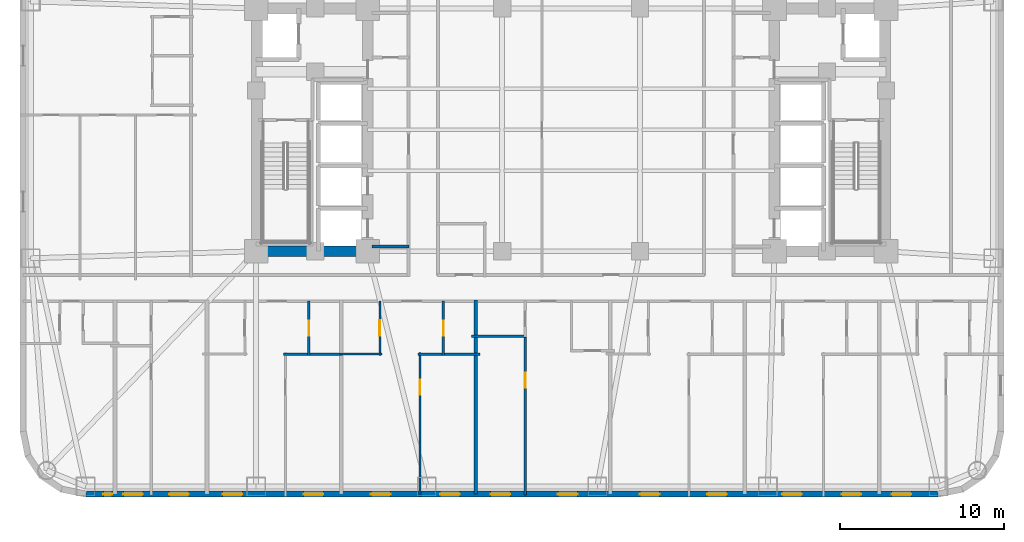
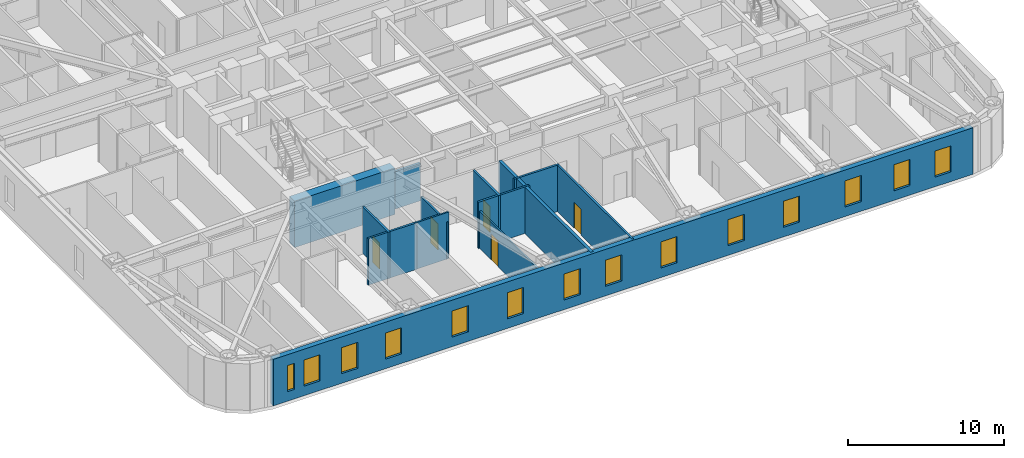
# One storey, part 3 of 12: 14 windows, 13 walls, 5 doors, 19 openings.
"""IFC4 building model written with IfcOpenShell, lengths in metres."""

from ifc_helpers import new_model, si_unit, direction, frame, frame_2d, origin, place, context, subcontext, project, spatial, rectangle, extrude, material, layer, layer_set, type_object, element, fill, save


model = new_model("IFC4")

# Units and contexts
model_context = context("Model", 3, precision=1e-05, world=origin(), true_north=direction((0.0, 1.0)))
body_context = subcontext(model_context, "Body", "Model", "MODEL_VIEW")
ifc_project = project(units=[si_unit("LENGTHUNIT", "METRE"), si_unit("AREAUNIT", "SQUARE_METRE"), si_unit("VOLUMEUNIT", "CUBIC_METRE"), si_unit("PLANEANGLEUNIT", "RADIAN"), si_unit("MASSUNIT", "GRAM", prefix="KILO")], contexts=[model_context])

# Site, building, storey
site_placement = place(None, origin())
site = spatial("IfcSite", under=ifc_project, at=site_placement, CompositionType="ELEMENT")
building_placement = place(site_placement, origin())
building = spatial("IfcBuilding", under=site, at=building_placement, Name="Voryun Gate Residences", CompositionType="ELEMENT")
storey_placement = place(building_placement, frame((0.0, 0.0, 72.800048828125)))
storey = spatial("IfcBuildingStorey", under=building, at=storey_placement, Name="L17", CompositionType="ELEMENT", Elevation=72.800048828125)

# Walls
ifc_material_1 = material(Name="Concrete C60/75", Category="concrete")
ifc_layer_1 = layer(ifc_material_1, 0.64990234375, Name="CW_CORE_650")
ifc_layer_set_1 = layer_set([ifc_layer_1], Name="Concrete C60/75")
wall_type_1 = type_object("IfcWallType", Name="CW_CORE_650", PredefinedType="SHEAR", material=ifc_layer_set_1)
wall_1_placement = place(storey_placement, frame((-19.52490234375, -7.39990234375, 0.0), z_axis=(0.0, 0.0, 1.0), x_axis=(1.0, 0.0, 0.0)))
element("IfcWall", 1, at=wall_1_placement, inside=storey, type_object=wall_type_1, Name="L17 Core shear wall CW-L17-WS", PredefinedType="SHEAR", context=body_context, shape_type="SweptSolid", body=[
    extrude(rectangle(XDim=7.449951171875, YDim=0.64990234375, at=frame_2d((3.72509765625, 0.0))), origin(), (0.0, 0.0, 1.0), 3.64990234375),
])
ifc_material_2 = material(Name="Gypsum acoustic fireboard")
ifc_layer_2 = layer(ifc_material_2, 0.179931640625, Name="W_CORR_RATED_180")
ifc_layer_set_2 = layer_set([ifc_layer_2], Name="Gypsum acoustic fireboard")
wall_type_2 = type_object("IfcWallType", Name="W_CORR_RATED_180", PredefinedType="PARTITIONING", material=ifc_layer_set_2)
wall_2_placement = place(storey_placement, frame((-12.14990234375, -7.1201171875, 0.0), z_axis=(0.0, 0.0, 1.0), x_axis=(1.0, 0.0, 0.0)))
element("IfcWall", 2, at=wall_2_placement, inside=storey, type_object=wall_type_2, Name="Partition wall WP-L17-PLBS-W", PredefinedType="PARTITIONING", context=body_context, shape_type="SweptSolid", body=[
    extrude(rectangle(XDim=2.27001953125, YDim=0.179931640625, at=frame_2d((1.135009765625, 0.0))), origin(), (0.0, 0.0, 1.0), 2.93994140625),
])

# Wall, openings, windows
ifc_material_3 = material(Name="Granite masonry", Category="masonry")
ifc_layer_3 = layer(ifc_material_3, 0.3798828125, Name="W_EXT_GRANITE_380")
ifc_layer_set_3 = layer_set([ifc_layer_3], Name="Granite masonry")
wall_type_3 = type_object("IfcWallType", Name="W_EXT_GRANITE_380", PredefinedType="ELEMENTEDWALL", material=ifc_layer_set_3)
wall_3_placement = place(storey_placement, frame((22.38134765625, -22.2099609375, 0.0), z_axis=(0.0, 0.0, 1.0), x_axis=(-1.0, 0.0, 0.0)))
wall_3 = element("IfcWall", 3, at=wall_3_placement, inside=storey, type_object=wall_type_3, Name="Exterior wall WEXT-L17-01", PredefinedType="ELEMENTEDWALL", context=body_context, shape_type="SweptSolid", body=[
    extrude(rectangle(XDim=51.962646484375, YDim=0.3798828125, at=frame_2d((25.9814453125, 0.0))), origin(), (0.0, 0.0, 1.0), 3.64990234375),
])
opening_1_placement = place(wall_3_placement, frame((50.37158203125, 0.0, 0.75)))
opening_1 = element("IfcOpeningElement", 4, at=opening_1_placement, cuts=wall_3, Name="Opening WN10", PredefinedType="OPENING", context=body_context, shape_type="SweptSolid", body=[
    extrude(rectangle(XDim=0.52001953125, YDim=2.050048828125, at=frame_2d((0.260009765625, 1.02490234375))), frame((0.0, 0.199951171875, 0.0), z_axis=(0.0, -1.0, 0.0), x_axis=(1.0, 0.0, 0.0)), (0.0, 0.0, 1.0), 0.39990234375),
])
opening_2_placement = place(wall_3_placement, frame((45.680908203125, 0.0, 0.75)))
opening_2 = element("IfcOpeningElement", 5, at=opening_2_placement, cuts=wall_3, Name="Opening WN6", PredefinedType="OPENING", context=body_context, shape_type="SweptSolid", body=[
    extrude(rectangle(XDim=1.199951171875, YDim=2.050048828125, at=frame_2d((0.60009765625, 1.02490234375))), frame((0.0, 0.199951171875, 0.0), z_axis=(0.0, -1.0, 0.0), x_axis=(1.0, 0.0, 0.0)), (0.0, 0.0, 1.0), 0.39990234375),
])
opening_3_placement = place(wall_3_placement, frame((48.4853515625, 0.0, 0.75)))
opening_3 = element("IfcOpeningElement", 6, at=opening_3_placement, cuts=wall_3, Name="Opening WN6", PredefinedType="OPENING", context=body_context, shape_type="SweptSolid", body=[
    extrude(rectangle(XDim=1.199951171875, YDim=2.050048828125, at=frame_2d((0.60009765625, 1.02490234375))), frame((0.0, 0.199951171875, 0.0), z_axis=(0.0, -1.0, 0.0), x_axis=(1.0, 0.0, 0.0)), (0.0, 0.0, 1.0), 0.39990234375),
])
opening_4_placement = place(wall_3_placement, frame((42.42626953125, 0.0, 0.75)))
opening_4 = element("IfcOpeningElement", 7, at=opening_4_placement, cuts=wall_3, Name="Opening WN6", PredefinedType="OPENING", context=body_context, shape_type="SweptSolid", body=[
    extrude(rectangle(XDim=1.199951171875, YDim=2.050048828125, at=frame_2d((0.60009765625, 1.02490234375))), frame((0.0, 0.199951171875, 0.0), z_axis=(0.0, -1.0, 0.0), x_axis=(1.0, 0.0, 0.0)), (0.0, 0.0, 1.0), 0.39990234375),
])
opening_5_placement = place(wall_3_placement, frame((37.486328125, 0.0, 0.75)))
opening_5 = element("IfcOpeningElement", 8, at=opening_5_placement, cuts=wall_3, Name="Opening WN6", PredefinedType="OPENING", context=body_context, shape_type="SweptSolid", body=[
    extrude(rectangle(XDim=1.199951171875, YDim=2.050048828125, at=frame_2d((0.60009765625, 1.02490234375))), frame((0.0, 0.199951171875, 0.0), z_axis=(0.0, -1.0, 0.0), x_axis=(1.0, 0.0, 0.0)), (0.0, 0.0, 1.0), 0.39990234375),
])
opening_6_placement = place(wall_3_placement, frame((33.38623046875, 0.0, 0.75)))
opening_6 = element("IfcOpeningElement", 9, at=opening_6_placement, cuts=wall_3, Name="Opening WN6", PredefinedType="OPENING", context=body_context, shape_type="SweptSolid", body=[
    extrude(rectangle(XDim=1.199951171875, YDim=2.050048828125, at=frame_2d((0.60009765625, 1.02490234375))), frame((0.0, 0.199951171875, 0.0), z_axis=(0.0, -1.0, 0.0), x_axis=(1.0, 0.0, 0.0)), (0.0, 0.0, 1.0), 0.39990234375),
])
opening_7_placement = place(wall_3_placement, frame((29.166259765625, 0.0, 0.75)))
opening_7 = element("IfcOpeningElement", 10, at=opening_7_placement, cuts=wall_3, Name="Opening WN6", PredefinedType="OPENING", context=body_context, shape_type="SweptSolid", body=[
    extrude(rectangle(XDim=1.199951171875, YDim=2.050048828125, at=frame_2d((0.60009765625, 1.02490234375))), frame((0.0, 0.199951171875, 0.0), z_axis=(0.0, -1.0, 0.0), x_axis=(1.0, 0.0, 0.0)), (0.0, 0.0, 1.0), 0.39990234375),
])
opening_8_placement = place(wall_3_placement, frame((26.080810546875, 0.0, 0.75)))
opening_8 = element("IfcOpeningElement", 11, at=opening_8_placement, cuts=wall_3, Name="Opening WN6", PredefinedType="OPENING", context=body_context, shape_type="SweptSolid", body=[
    extrude(rectangle(XDim=1.199951171875, YDim=2.050048828125, at=frame_2d((0.60009765625, 1.02490234375))), frame((0.0, 0.199951171875, 0.0), z_axis=(0.0, -1.0, 0.0), x_axis=(1.0, 0.0, 0.0)), (0.0, 0.0, 1.0), 0.39990234375),
])
opening_9_placement = place(wall_3_placement, frame((21.980712890625, 0.0, 0.75)))
opening_9 = element("IfcOpeningElement", 12, at=opening_9_placement, cuts=wall_3, Name="Opening WN6", PredefinedType="OPENING", context=body_context, shape_type="SweptSolid", body=[
    extrude(rectangle(XDim=1.199951171875, YDim=2.050048828125, at=frame_2d((0.60009765625, 1.02490234375))), frame((0.0, 0.199951171875, 0.0), z_axis=(0.0, -1.0, 0.0), x_axis=(1.0, 0.0, 0.0)), (0.0, 0.0, 1.0), 0.39990234375),
])
opening_10_placement = place(wall_3_placement, frame((16.986328125, 0.0, 0.75)))
opening_10 = element("IfcOpeningElement", 13, at=opening_10_placement, cuts=wall_3, Name="Opening WN6", PredefinedType="OPENING", context=body_context, shape_type="SweptSolid", body=[
    extrude(rectangle(XDim=1.199951171875, YDim=2.050048828125, at=frame_2d((0.60009765625, 1.02490234375))), frame((0.0, 0.199951171875, 0.0), z_axis=(0.0, -1.0, 0.0), x_axis=(1.0, 0.0, 0.0)), (0.0, 0.0, 1.0), 0.39990234375),
])
opening_11_placement = place(wall_3_placement, frame((12.88623046875, 0.0, 0.75)))
opening_11 = element("IfcOpeningElement", 14, at=opening_11_placement, cuts=wall_3, Name="Opening WN6", PredefinedType="OPENING", context=body_context, shape_type="SweptSolid", body=[
    extrude(rectangle(XDim=1.199951171875, YDim=2.050048828125, at=frame_2d((0.60009765625, 1.02490234375))), frame((0.0, 0.199951171875, 0.0), z_axis=(0.0, -1.0, 0.0), x_axis=(1.0, 0.0, 0.0)), (0.0, 0.0, 1.0), 0.39990234375),
])
opening_12_placement = place(wall_3_placement, frame((8.306396484375, 0.0, 0.75)))
opening_12 = element("IfcOpeningElement", 15, at=opening_12_placement, cuts=wall_3, Name="Opening WN6", PredefinedType="OPENING", context=body_context, shape_type="SweptSolid", body=[
    extrude(rectangle(XDim=1.199951171875, YDim=2.050048828125, at=frame_2d((0.60009765625, 1.02490234375))), frame((0.0, 0.199951171875, 0.0), z_axis=(0.0, -1.0, 0.0), x_axis=(1.0, 0.0, 0.0)), (0.0, 0.0, 1.0), 0.39990234375),
])
opening_13_placement = place(wall_3_placement, frame((4.686279296875, 0.0, 0.75)))
opening_13 = element("IfcOpeningElement", 16, at=opening_13_placement, cuts=wall_3, Name="Opening WN6", PredefinedType="OPENING", context=body_context, shape_type="SweptSolid", body=[
    extrude(rectangle(XDim=1.199951171875, YDim=2.050048828125, at=frame_2d((0.60009765625, 1.02490234375))), frame((0.0, 0.199951171875, 0.0), z_axis=(0.0, -1.0, 0.0), x_axis=(1.0, 0.0, 0.0)), (0.0, 0.0, 1.0), 0.39990234375),
])
opening_14_placement = place(wall_3_placement, frame((1.635498046875, 0.0, 0.75)))
opening_14 = element("IfcOpeningElement", 17, at=opening_14_placement, cuts=wall_3, Name="Opening WN6", PredefinedType="OPENING", context=body_context, shape_type="SweptSolid", body=[
    extrude(rectangle(XDim=1.199951171875, YDim=2.050048828125, at=frame_2d((0.60009765625, 1.02490234375))), frame((0.0, 0.199951171875, 0.0), z_axis=(0.0, -1.0, 0.0), x_axis=(1.0, 0.0, 0.0)), (0.0, 0.0, 1.0), 0.39990234375),
])
ifc_material_4 = material(Name="Laminated low-E glass", Category="glass")
window_type_1 = type_object("IfcWindowType", Name="WN_PAGODA_LANCET_520", PartitioningType="SINGLE_PANEL", PredefinedType="WINDOW", material=ifc_material_4)
window_1_placement = place(opening_1_placement, origin())
window_1 = element("IfcWindow", 18, at=window_1_placement, inside=storey, type_object=window_type_1, Name="Window WN-L17-DWFIX-15", OverallHeight=2.050048828125, OverallWidth=0.52001953125, PartitioningType="SINGLE_PANEL", PredefinedType="WINDOW", context=body_context, shape_type="SweptSolid", body=[
    extrude(rectangle(XDim=0.52001953125, YDim=2.050048828125, at=frame_2d((0.260009765625, 1.02490234375))), frame((0.0, 0.030029296875, 0.0), z_axis=(0.0, -1.0, 0.0), x_axis=(1.0, 0.0, 0.0)), (0.0, 0.0, 1.0), 0.06005859375),
])
fill(opening_1, window_1)
ifc_material_5 = material(Name="Laminated low-E glass", Category="glass")
window_type_2 = type_object("IfcWindowType", Name="WN_POD_SLOT_1200", PartitioningType="SINGLE_PANEL", PredefinedType="WINDOW", material=ifc_material_5)
window_2_placement = place(opening_2_placement, origin())
window_2 = element("IfcWindow", 19, at=window_2_placement, inside=storey, type_object=window_type_2, Name="Window WN-L17-DWFIX-16", OverallHeight=2.050048828125, OverallWidth=1.199951171875, PartitioningType="SINGLE_PANEL", PredefinedType="WINDOW", context=body_context, shape_type="SweptSolid", body=[
    extrude(rectangle(XDim=1.199951171875, YDim=2.050048828125, at=frame_2d((0.60009765625, 1.02490234375))), frame((0.0, 0.030029296875, 0.0), z_axis=(0.0, -1.0, 0.0), x_axis=(1.0, 0.0, 0.0)), (0.0, 0.0, 1.0), 0.06005859375),
])
fill(opening_2, window_2)
window_3_placement = place(opening_3_placement, origin())
window_3 = element("IfcWindow", 20, at=window_3_placement, inside=storey, type_object=window_type_2, Name="Window WN-L17-DWFIX-17", OverallHeight=2.050048828125, OverallWidth=1.199951171875, PartitioningType="SINGLE_PANEL", PredefinedType="WINDOW", context=body_context, shape_type="SweptSolid", body=[
    extrude(rectangle(XDim=1.199951171875, YDim=2.050048828125, at=frame_2d((0.60009765625, 1.02490234375))), frame((0.0, 0.030029296875, 0.0), z_axis=(0.0, -1.0, 0.0), x_axis=(1.0, 0.0, 0.0)), (0.0, 0.0, 1.0), 0.06005859375),
])
fill(opening_3, window_3)
window_4_placement = place(opening_4_placement, origin())
window_4 = element("IfcWindow", 21, at=window_4_placement, inside=storey, type_object=window_type_2, Name="Window WN-L17-DWFIX-18", OverallHeight=2.050048828125, OverallWidth=1.199951171875, PartitioningType="SINGLE_PANEL", PredefinedType="WINDOW", context=body_context, shape_type="SweptSolid", body=[
    extrude(rectangle(XDim=1.199951171875, YDim=2.050048828125, at=frame_2d((0.60009765625, 1.02490234375))), frame((0.0, 0.030029296875, 0.0), z_axis=(0.0, -1.0, 0.0), x_axis=(1.0, 0.0, 0.0)), (0.0, 0.0, 1.0), 0.06005859375),
])
fill(opening_4, window_4)
window_5_placement = place(opening_5_placement, origin())
window_5 = element("IfcWindow", 22, at=window_5_placement, inside=storey, type_object=window_type_2, Name="Window WN-L17-DWFIX-19", OverallHeight=2.050048828125, OverallWidth=1.199951171875, PartitioningType="SINGLE_PANEL", PredefinedType="WINDOW", context=body_context, shape_type="SweptSolid", body=[
    extrude(rectangle(XDim=1.199951171875, YDim=2.050048828125, at=frame_2d((0.60009765625, 1.02490234375))), frame((0.0, 0.030029296875, 0.0), z_axis=(0.0, -1.0, 0.0), x_axis=(1.0, 0.0, 0.0)), (0.0, 0.0, 1.0), 0.06005859375),
])
fill(opening_5, window_5)
window_6_placement = place(opening_6_placement, origin())
window_6 = element("IfcWindow", 23, at=window_6_placement, inside=storey, type_object=window_type_2, Name="Window WN-L17-DWFIX-20", OverallHeight=2.050048828125, OverallWidth=1.199951171875, PartitioningType="SINGLE_PANEL", PredefinedType="WINDOW", context=body_context, shape_type="SweptSolid", body=[
    extrude(rectangle(XDim=1.199951171875, YDim=2.050048828125, at=frame_2d((0.60009765625, 1.02490234375))), frame((0.0, 0.030029296875, 0.0), z_axis=(0.0, -1.0, 0.0), x_axis=(1.0, 0.0, 0.0)), (0.0, 0.0, 1.0), 0.06005859375),
])
fill(opening_6, window_6)
window_7_placement = place(opening_7_placement, origin())
window_7 = element("IfcWindow", 24, at=window_7_placement, inside=storey, type_object=window_type_2, Name="Window WN-L17-DWFIX-21", OverallHeight=2.050048828125, OverallWidth=1.199951171875, PartitioningType="SINGLE_PANEL", PredefinedType="WINDOW", context=body_context, shape_type="SweptSolid", body=[
    extrude(rectangle(XDim=1.199951171875, YDim=2.050048828125, at=frame_2d((0.60009765625, 1.02490234375))), frame((0.0, 0.030029296875, 0.0), z_axis=(0.0, -1.0, 0.0), x_axis=(1.0, 0.0, 0.0)), (0.0, 0.0, 1.0), 0.06005859375),
])
fill(opening_7, window_7)
window_8_placement = place(opening_8_placement, origin())
window_8 = element("IfcWindow", 25, at=window_8_placement, inside=storey, type_object=window_type_2, Name="Window WN-L17-DWFIX-22", OverallHeight=2.050048828125, OverallWidth=1.199951171875, PartitioningType="SINGLE_PANEL", PredefinedType="WINDOW", context=body_context, shape_type="SweptSolid", body=[
    extrude(rectangle(XDim=1.199951171875, YDim=2.050048828125, at=frame_2d((0.60009765625, 1.02490234375))), frame((0.0, 0.030029296875, 0.0), z_axis=(0.0, -1.0, 0.0), x_axis=(1.0, 0.0, 0.0)), (0.0, 0.0, 1.0), 0.06005859375),
])
fill(opening_8, window_8)
window_9_placement = place(opening_9_placement, origin())
window_9 = element("IfcWindow", 26, at=window_9_placement, inside=storey, type_object=window_type_2, Name="Window WN-L17-DWFIX-23", OverallHeight=2.050048828125, OverallWidth=1.199951171875, PartitioningType="SINGLE_PANEL", PredefinedType="WINDOW", context=body_context, shape_type="SweptSolid", body=[
    extrude(rectangle(XDim=1.199951171875, YDim=2.050048828125, at=frame_2d((0.60009765625, 1.02490234375))), frame((0.0, 0.030029296875, 0.0), z_axis=(0.0, -1.0, 0.0), x_axis=(1.0, 0.0, 0.0)), (0.0, 0.0, 1.0), 0.06005859375),
])
fill(opening_9, window_9)
window_10_placement = place(opening_10_placement, origin())
window_10 = element("IfcWindow", 27, at=window_10_placement, inside=storey, type_object=window_type_2, Name="Window WN-L17-DWFIX-24", OverallHeight=2.050048828125, OverallWidth=1.199951171875, PartitioningType="SINGLE_PANEL", PredefinedType="WINDOW", context=body_context, shape_type="SweptSolid", body=[
    extrude(rectangle(XDim=1.199951171875, YDim=2.050048828125, at=frame_2d((0.60009765625, 1.02490234375))), frame((0.0, 0.030029296875, 0.0), z_axis=(0.0, -1.0, 0.0), x_axis=(1.0, 0.0, 0.0)), (0.0, 0.0, 1.0), 0.06005859375),
])
fill(opening_10, window_10)
window_11_placement = place(opening_11_placement, origin())
window_11 = element("IfcWindow", 28, at=window_11_placement, inside=storey, type_object=window_type_2, Name="Window WN-L17-DWFIX-25", OverallHeight=2.050048828125, OverallWidth=1.199951171875, PartitioningType="SINGLE_PANEL", PredefinedType="WINDOW", context=body_context, shape_type="SweptSolid", body=[
    extrude(rectangle(XDim=1.199951171875, YDim=2.050048828125, at=frame_2d((0.60009765625, 1.02490234375))), frame((0.0, 0.030029296875, 0.0), z_axis=(0.0, -1.0, 0.0), x_axis=(1.0, 0.0, 0.0)), (0.0, 0.0, 1.0), 0.06005859375),
])
fill(opening_11, window_11)
window_12_placement = place(opening_12_placement, origin())
window_12 = element("IfcWindow", 29, at=window_12_placement, inside=storey, type_object=window_type_2, Name="Window WN-L17-DWFIX-26", OverallHeight=2.050048828125, OverallWidth=1.199951171875, PartitioningType="SINGLE_PANEL", PredefinedType="WINDOW", context=body_context, shape_type="SweptSolid", body=[
    extrude(rectangle(XDim=1.199951171875, YDim=2.050048828125, at=frame_2d((0.60009765625, 1.02490234375))), frame((0.0, 0.030029296875, 0.0), z_axis=(0.0, -1.0, 0.0), x_axis=(1.0, 0.0, 0.0)), (0.0, 0.0, 1.0), 0.06005859375),
])
fill(opening_12, window_12)
window_13_placement = place(opening_13_placement, origin())
window_13 = element("IfcWindow", 30, at=window_13_placement, inside=storey, type_object=window_type_2, Name="Window WN-L17-DWFIX-27", OverallHeight=2.050048828125, OverallWidth=1.199951171875, PartitioningType="SINGLE_PANEL", PredefinedType="WINDOW", context=body_context, shape_type="SweptSolid", body=[
    extrude(rectangle(XDim=1.199951171875, YDim=2.050048828125, at=frame_2d((0.60009765625, 1.02490234375))), frame((0.0, 0.030029296875, 0.0), z_axis=(0.0, -1.0, 0.0), x_axis=(1.0, 0.0, 0.0)), (0.0, 0.0, 1.0), 0.06005859375),
])
fill(opening_13, window_13)
window_14_placement = place(opening_14_placement, origin())
window_14 = element("IfcWindow", 31, at=window_14_placement, inside=storey, type_object=window_type_2, Name="Window WN-L17-DWFIX-28", OverallHeight=2.050048828125, OverallWidth=1.199951171875, PartitioningType="SINGLE_PANEL", PredefinedType="WINDOW", context=body_context, shape_type="SweptSolid", body=[
    extrude(rectangle(XDim=1.199951171875, YDim=2.050048828125, at=frame_2d((0.60009765625, 1.02490234375))), frame((0.0, 0.030029296875, 0.0), z_axis=(0.0, -1.0, 0.0), x_axis=(1.0, 0.0, 0.0)), (0.0, 0.0, 1.0), 0.06005859375),
])
fill(opening_14, window_14)

# Wall
ifc_material_6 = material(Name="Concrete C40/50", Category="concrete")
ifc_layer_4 = layer(ifc_material_6, 0.219970703125, Name="W_PARTY_ACOUSTIC_220")
ifc_layer_set_4 = layer_set([ifc_layer_4], Name="Concrete C40/50")
wall_type_4 = type_object("IfcWallType", Name="W_PARTY_ACOUSTIC_220", PredefinedType="PARTITIONING", material=ifc_layer_set_4)
wall_4_placement = place(storey_placement, frame((-5.800048828125, -22.2099609375, 0.0), z_axis=(0.0, 0.0, 1.0), x_axis=(0.0, 1.0, 0.0)))
element("IfcWall", 32, at=wall_4_placement, inside=storey, type_object=wall_type_4, Name="Partition wall WP-L17-SPTY-4", PredefinedType="PARTITIONING", context=body_context, shape_type="SweptSolid", body=[
    extrude(rectangle(XDim=11.83984375, YDim=0.219970703125, at=frame_2d((5.919921875, 0.0))), origin(), (0.0, 0.0, 1.0), 3.64990234375),
])

# Wall, opening, door
ifc_material_7 = material(Name="Gypsum acoustic partition")
ifc_layer_5 = layer(ifc_material_7, 0.125, Name="W_UNIT_PART_125")
ifc_layer_set_5 = layer_set([ifc_layer_5], Name="Gypsum acoustic partition")
wall_type_5 = type_object("IfcWallType", Name="W_UNIT_PART_125", PredefinedType="PARTITIONING", material=ifc_layer_set_5)
wall_5_placement = place(storey_placement, frame((-9.2099609375, -22.360107421875, 0.0), z_axis=(0.0, 0.0, 1.0), x_axis=(0.0, 1.0, 0.0)))
wall_5 = element("IfcWall", 33, at=wall_5_placement, inside=storey, type_object=wall_type_5, Name="Partition wall WP-L17-S4-OVR", PredefinedType="PARTITIONING", context=body_context, shape_type="SweptSolid", body=[
    extrude(rectangle(XDim=8.77001953125, YDim=0.125, at=frame_2d((4.385009765625, 0.0))), origin(), (0.0, 0.0, 1.0), 2.93994140625),
])
opening_15_placement = place(wall_5_placement, frame((6.215087890625, 0.0, 0.0)))
opening_15 = element("IfcOpeningElement", 34, at=opening_15_placement, cuts=wall_5, Name="Opening D-INT-2", PredefinedType="OPENING", context=body_context, shape_type="SweptSolid", body=[
    extrude(rectangle(XDim=0.89990234375, YDim=2.050048828125, at=frame_2d((0.449951171875, 1.02490234375))), frame((0.0, 0.072509765625, 0.0), z_axis=(0.0, -1.0, 0.0), x_axis=(1.0, 0.0, 0.0)), (0.0, 0.0, 1.0), 0.14501953125),
])
ifc_material_8 = material(Name="Architectural oak veneer")
door_type_1 = type_object("IfcDoorType", Name="DR_INT_BATH_900", OperationType="NOTDEFINED", PredefinedType="DOOR", material=ifc_material_8)
door_1_placement = place(opening_15_placement, origin())
door_1 = element("IfcDoor", 35, at=door_1_placement, inside=storey, type_object=door_type_1, Name="Door DR-L17-S4-DMB", OperationType="SINGLE_SWING_RIGHT", OverallHeight=2.050048828125, OverallWidth=0.89990234375, PredefinedType="DOOR", context=body_context, shape_type="SweptSolid", body=[
    extrude(rectangle(XDim=0.89990234375, YDim=2.050048828125, at=frame_2d((0.449951171875, 1.02490234375))), frame((0.0, 0.02490234375, 0.0), z_axis=(0.0, -1.0, 0.0), x_axis=(1.0, 0.0, 0.0)), (0.0, 0.0, 1.0), 0.050048828125),
])
fill(opening_15, door_1)

wall_6_placement = place(storey_placement, frame((-11.660888671875, -13.75, 0.0), z_axis=(0.0, 0.0, 1.0), x_axis=(0.0, 1.0, 0.0)))
wall_6 = element("IfcWall", 36, at=wall_6_placement, inside=storey, type_object=wall_type_5, Name="Partition wall WP-L17-S4-IVK", PredefinedType="PARTITIONING", context=body_context, shape_type="SweptSolid", body=[
    extrude(rectangle(XDim=3.320068359375, YDim=0.125, at=frame_2d((1.66015625, 0.0))), origin(), (0.0, 0.0, 1.0), 2.93994140625),
])
opening_16_placement = place(wall_6_placement, frame((1.18505859375, 0.0, 0.0)))
opening_16 = element("IfcOpeningElement", 37, at=opening_16_placement, cuts=wall_6, Name="Opening D-INT-1", PredefinedType="OPENING", context=body_context, shape_type="SweptSolid", body=[
    extrude(rectangle(XDim=0.949951171875, YDim=2.050048828125, at=frame_2d((0.47509765625, 1.02490234375))), frame((0.0, 0.072509765625, 0.0), z_axis=(0.0, -1.0, 0.0), x_axis=(1.0, 0.0, 0.0)), (0.0, 0.0, 1.0), 0.14501953125),
])
ifc_material_9 = material(Name="Architectural oak veneer")
door_type_2 = type_object("IfcDoorType", Name="DR_INT_ROOM_950", OperationType="NOTDEFINED", PredefinedType="DOOR", material=ifc_material_9)
door_2_placement = place(opening_16_placement, origin())
door_2 = element("IfcDoor", 38, at=door_2_placement, inside=storey, type_object=door_type_2, Name="Door DR-L17-S4-DK", OperationType="SINGLE_SWING_LEFT", OverallHeight=2.050048828125, OverallWidth=0.949951171875, PredefinedType="DOOR", context=body_context, shape_type="SweptSolid", body=[
    extrude(rectangle(XDim=0.949951171875, YDim=2.050048828125, at=frame_2d((0.47509765625, 1.02490234375))), frame((0.0, 0.02490234375, 0.0), z_axis=(0.0, -1.0, 0.0), x_axis=(1.0, 0.0, 0.0)), (0.0, 0.0, 1.0), 0.050048828125),
])
fill(opening_16, door_2)

# Walls
wall_7_placement = place(storey_placement, frame((-14.074951171875, -13.669921875, 0.0), z_axis=(0.0, 0.0, 1.0), x_axis=(1.0, 0.0, 0.0)))
element("IfcWall", 39, at=wall_7_placement, inside=storey, type_object=wall_type_5, Name="Partition wall WP-L17-S4-HZK", PredefinedType="PARTITIONING", context=body_context, shape_type="SweptSolid", body=[
    extrude(rectangle(XDim=2.533935546875, YDim=0.125, at=frame_2d((1.26708984375, 0.0))), origin(), (0.0, 0.0, 1.0), 3.64990234375),
])
ifc_material_10 = material(Name="Gypsum moisture-resistant partition")
ifc_layer_6 = layer(ifc_material_10, 0.14990234375, Name="W_WET_PLUMB_150")
ifc_layer_set_6 = layer_set([ifc_layer_6], Name="Gypsum moisture-resistant partition")
wall_type_6 = type_object("IfcWallType", Name="W_WET_PLUMB_150", PredefinedType="PLUMBINGWALL", material=ifc_layer_set_6)
wall_8_placement = place(storey_placement, frame((-17.530029296875, -13.669921875, 0.0), z_axis=(0.0, 0.0, 1.0), x_axis=(1.0, 0.0, 0.0)))
element("IfcWall", 40, at=wall_8_placement, inside=storey, type_object=wall_type_6, Name="Partition wall WP-L17-S3-HZB", PredefinedType="PLUMBINGWALL", context=body_context, shape_type="SweptSolid", body=[
    extrude(rectangle(XDim=3.60498046875, YDim=0.14990234375, at=frame_2d((1.802490234375, 0.0))), origin(), (0.0, 0.0, 1.0), 3.64990234375),
])

# Wall, opening, door
wall_9_placement = place(storey_placement, frame((-15.97998046875, -13.75, 0.0), z_axis=(0.0, 0.0, 1.0), x_axis=(0.0, 1.0, 0.0)))
wall_9 = element("IfcWall", 41, at=wall_9_placement, inside=storey, type_object=wall_type_6, Name="Partition wall WP-L17-S3-IVB", PredefinedType="PLUMBINGWALL", context=body_context, shape_type="SweptSolid", body=[
    extrude(rectangle(XDim=3.320068359375, YDim=0.14990234375, at=frame_2d((1.66015625, 0.0))), origin(), (0.0, 0.0, 1.0), 3.64990234375),
])
opening_17_placement = place(wall_9_placement, frame((1.2099609375, 0.0, 0.0)))
opening_17 = element("IfcOpeningElement", 42, at=opening_17_placement, cuts=wall_9, Name="Opening D-INT-2", PredefinedType="OPENING", context=body_context, shape_type="SweptSolid", body=[
    extrude(rectangle(XDim=0.89990234375, YDim=2.050048828125, at=frame_2d((0.449951171875, 1.02490234375))), frame((0.0, 0.0849609375, 0.0), z_axis=(0.0, -1.0, 0.0), x_axis=(1.0, 0.0, 0.0)), (0.0, 0.0, 1.0), 0.169921875),
])
door_3_placement = place(opening_17_placement, origin())
door_3 = element("IfcDoor", 43, at=door_3_placement, inside=storey, type_object=door_type_1, Name="Door DR-L17-S3-DB", OperationType="SINGLE_SWING_RIGHT", OverallHeight=2.050048828125, OverallWidth=0.89990234375, PredefinedType="DOOR", context=body_context, shape_type="SweptSolid", body=[
    extrude(rectangle(XDim=0.89990234375, YDim=2.050048828125, at=frame_2d((0.449951171875, 1.02490234375))), frame((0.0, 0.02490234375, 0.0), z_axis=(0.0, -1.0, 0.0), x_axis=(1.0, 0.0, 0.0)), (0.0, 0.0, 1.0), 0.050048828125),
])
fill(opening_17, door_3)

# Wall
wall_10_placement = place(storey_placement, frame((-9.330078125, -13.669921875, 0.0), z_axis=(0.0, 0.0, 1.0), x_axis=(1.0, 0.0, 0.0)))
element("IfcWall", 44, at=wall_10_placement, inside=storey, type_object=wall_type_6, Name="Partition wall WP-L17-S4-HZB", PredefinedType="PLUMBINGWALL", context=body_context, shape_type="SweptSolid", body=[
    extrude(rectangle(XDim=3.7900390625, YDim=0.14990234375, at=frame_2d((1.89501953125, 0.0))), origin(), (0.0, 0.0, 1.0), 3.64990234375),
])

# Wall, opening, door
wall_11_placement = place(storey_placement, frame((-7.780029296875, -13.75, 0.0), z_axis=(0.0, 0.0, 1.0), x_axis=(0.0, 1.0, 0.0)))
wall_11 = element("IfcWall", 45, at=wall_11_placement, inside=storey, type_object=wall_type_6, Name="Partition wall WP-L17-S4-IVB", PredefinedType="PLUMBINGWALL", context=body_context, shape_type="SweptSolid", body=[
    extrude(rectangle(XDim=3.320068359375, YDim=0.14990234375, at=frame_2d((1.66015625, 0.0))), origin(), (0.0, 0.0, 1.0), 3.64990234375),
])
opening_18_placement = place(wall_11_placement, frame((1.2099609375, 0.0, 0.0)))
opening_18 = element("IfcOpeningElement", 46, at=opening_18_placement, cuts=wall_11, Name="Opening D-INT-2", PredefinedType="OPENING", context=body_context, shape_type="SweptSolid", body=[
    extrude(rectangle(XDim=0.89990234375, YDim=2.050048828125, at=frame_2d((0.449951171875, 1.02490234375))), frame((0.0, 0.0849609375, 0.0), z_axis=(0.0, -1.0, 0.0), x_axis=(1.0, 0.0, 0.0)), (0.0, 0.0, 1.0), 0.169921875),
])
door_4_placement = place(opening_18_placement, origin())
door_4 = element("IfcDoor", 47, at=door_4_placement, inside=storey, type_object=door_type_1, Name="Door DR-L17-S4-DB", OperationType="SINGLE_SWING_RIGHT", OverallHeight=2.050048828125, OverallWidth=0.89990234375, PredefinedType="DOOR", context=body_context, shape_type="SweptSolid", body=[
    extrude(rectangle(XDim=0.89990234375, YDim=2.050048828125, at=frame_2d((0.449951171875, 1.02490234375))), frame((0.0, 0.02490234375, 0.0), z_axis=(0.0, -1.0, 0.0), x_axis=(1.0, 0.0, 0.0)), (0.0, 0.0, 1.0), 0.050048828125),
])
fill(opening_18, door_4)

# Wall
wall_12_placement = place(storey_placement, frame((-6.06005859375, -12.590087890625, 0.0), z_axis=(0.0, 0.0, 1.0), x_axis=(1.0, 0.0, 0.0)))
element("IfcWall", 48, at=wall_12_placement, inside=storey, type_object=wall_type_6, Name="Partition wall WP-L17-S5-LHY", PredefinedType="PLUMBINGWALL", context=body_context, shape_type="SweptSolid", body=[
    extrude(rectangle(XDim=3.341064453125, YDim=0.14990234375, at=frame_2d((1.67041015625, 0.0))), origin(), (0.0, 0.0, 1.0), 3.64990234375),
])

# Wall, opening, door
wall_13_placement = place(storey_placement, frame((-2.799072265625, -22.257568359375, 0.0), z_axis=(0.0, 0.0, 1.0), x_axis=(0.0, 1.0, 0.0)))
wall_13 = element("IfcWall", 49, at=wall_13_placement, inside=storey, type_object=wall_type_6, Name="Partition wall WP-L17-S5-LVX1", PredefinedType="PLUMBINGWALL", context=body_context, shape_type="SweptSolid", body=[
    extrude(rectangle(XDim=9.70751953125, YDim=0.14990234375, at=frame_2d((4.853759765625, 0.0))), origin(), (0.0, 0.0, 1.0), 3.64990234375),
])
opening_19_placement = place(wall_13_placement, frame((6.53955078125, 0.0, 0.0)))
opening_19 = element("IfcOpeningElement", 50, at=opening_19_placement, cuts=wall_13, Name="Opening D-INT-2", PredefinedType="OPENING", context=body_context, shape_type="SweptSolid", body=[
    extrude(rectangle(XDim=0.89990234375, YDim=2.050048828125, at=frame_2d((0.449951171875, 1.02490234375))), frame((0.0, 0.0849609375, 0.0), z_axis=(0.0, -1.0, 0.0), x_axis=(1.0, 0.0, 0.0)), (0.0, 0.0, 1.0), 0.169921875),
])
door_5_placement = place(opening_19_placement, origin())
door_5 = element("IfcDoor", 51, at=door_5_placement, inside=storey, type_object=door_type_1, Name="Door DR-L17-S5-DMB", OperationType="SINGLE_SWING_LEFT", OverallHeight=2.050048828125, OverallWidth=0.89990234375, PredefinedType="DOOR", context=body_context, shape_type="SweptSolid", body=[
    extrude(rectangle(XDim=0.89990234375, YDim=2.050048828125, at=frame_2d((0.449951171875, 1.02490234375))), frame((0.0, 0.02490234375, 0.0), z_axis=(0.0, -1.0, 0.0), x_axis=(1.0, 0.0, 0.0)), (0.0, 0.0, 1.0), 0.050048828125),
])
fill(opening_19, door_5)

save(model, "model.ifc")
